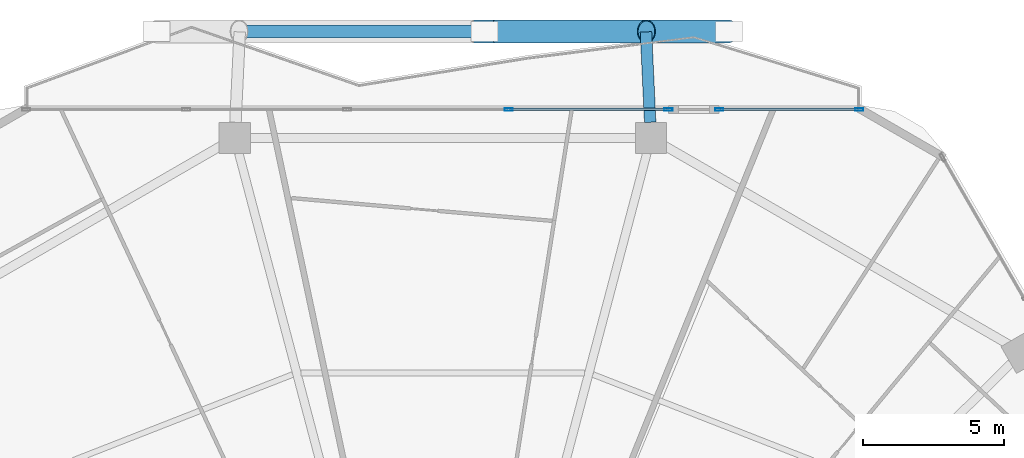
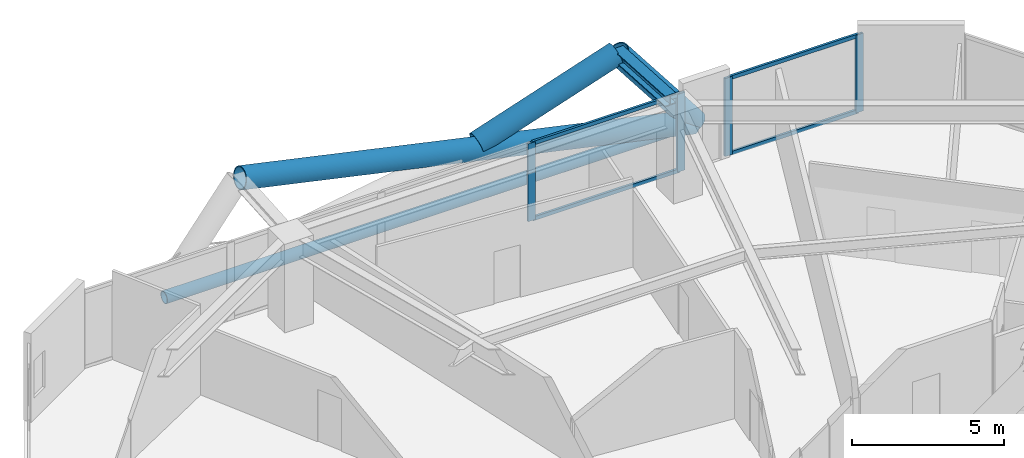
# One storey, part 23 of 35: 12 members, 1 beam, 2 elements without a shape of their own.
"""IFC4 building model written with IfcOpenShell, lengths in metres."""

from ifc_helpers import new_model, si_unit, direction, frame, origin, origin_2d, place, context, subcontext, project, spatial, hollow_rectangle, hollow_circle, i_section, extrude, material, material_profile, profile_set, type_object, element, aggregate, save


model = new_model("IFC4")

# Units and contexts
model_context = context("Model", 3, precision=1e-05, world=origin(), true_north=direction((0.0, 1.0)))
body_context = subcontext(model_context, "Body", "Model", "MODEL_VIEW")
ifc_project = project(units=[si_unit("LENGTHUNIT", "METRE"), si_unit("AREAUNIT", "SQUARE_METRE"), si_unit("VOLUMEUNIT", "CUBIC_METRE"), si_unit("PLANEANGLEUNIT", "RADIAN"), si_unit("MASSUNIT", "GRAM", prefix="KILO")], contexts=[model_context])

# Site, building, storey
site_placement = place(None, origin())
site = spatial("IfcSite", under=ifc_project, at=site_placement, CompositionType="ELEMENT")
building_placement = place(site_placement, origin())
building = spatial("IfcBuilding", under=site, at=building_placement, Name="Zuhravey Tower", CompositionType="ELEMENT")
storey_placement = place(building_placement, frame((0.0, 0.0, 138.0)))
storey = spatial("IfcBuildingStorey", under=building, at=storey_placement, Name="L34", CompositionType="ELEMENT", Elevation=138.0)

# Curtain wall, members
ifc_material_1 = material(Name="Thermally broken anodised aluminium", Category="aluminium")
curtain_wall_type = type_object("IfcCurtainWallType", Name="Zone 1-2 Residential Curtain Wall CW3", PredefinedType="NOTDEFINED", material=ifc_material_1)
curtain_wall_1_placement = place(storey_placement, origin())
curtain_wall_1 = element("IfcCurtainWall", 1, at=curtain_wall_1_placement, inside=storey, type_object=curtain_wall_type, Name="L34 CW3 CW-L34-F2-1", PredefinedType="NOTDEFINED")
ifc_material_2 = material(Name="Anodised aluminium", Category="aluminium")
ifc_material_profile_1 = material_profile(ifc_material_2, hollow_rectangle(XDim=0.090087890625, YDim=0.284912109375, WallThickness=0.0048828125, at=origin_2d()), Name="ALU-RHS-90x285x5")
ifc_profile_set_1 = profile_set([ifc_material_profile_1], Name="Anodised aluminium")
member_type_1 = type_object("IfcMemberType", Name="Curtain-Wall Mullion 90x180", PredefinedType="MULLION", material=ifc_profile_set_1)
member_1_placement = place(storey_placement, frame((38.328857421875, 60.95849609375, 0.0), z_axis=(0.0, 0.0, 1.0), x_axis=(0.0, 1.0, 0.0)))
member_1 = element("IfcMember", 2, at=member_1_placement, type_object=member_type_1, Name="CW3 mullion 4", PredefinedType="MULLION", context=body_context, shape_type="SweptSolid", body=[
    extrude(hollow_rectangle(XDim=0.090087890625, YDim=0.284912109375, WallThickness=0.0048828125, at=origin_2d()), origin(), (0.0, 0.0, 1.0), 3.1220703125),
])
member_2_placement = place(storey_placement, frame((43.993408203125, 60.95849609375, 0.0), z_axis=(0.0, 0.0, 1.0), x_axis=(0.0, 1.0, 0.0)))
member_2 = element("IfcMember", 3, at=member_2_placement, type_object=member_type_1, Name="CW3 mullion 5", PredefinedType="MULLION", context=body_context, shape_type="SweptSolid", body=[
    extrude(hollow_rectangle(XDim=0.090087890625, YDim=0.284912109375, WallThickness=0.0048828125, at=origin_2d()), origin(), (0.0, 0.0, 1.0), 3.1220703125),
])

curtain_wall_2_placement = place(storey_placement, origin())
curtain_wall_2 = element("IfcCurtainWall", 4, at=curtain_wall_2_placement, inside=storey, type_object=curtain_wall_type, Name="L34 CW3 CW-L34-F2-2", PredefinedType="NOTDEFINED")
member_3_placement = place(storey_placement, frame((45.783447265625, 60.95849609375, 0.0), z_axis=(0.0, 0.0, 1.0), x_axis=(0.0, 1.0, 0.0)))
member_3 = element("IfcMember", 5, at=member_3_placement, type_object=member_type_1, Name="CW3 mullion 1", PredefinedType="MULLION", context=body_context, shape_type="SweptSolid", body=[
    extrude(hollow_rectangle(XDim=0.090087890625, YDim=0.284912109375, WallThickness=0.0048828125, at=origin_2d()), origin(), (0.0, 0.0, 1.0), 3.1220703125),
])
member_4_placement = place(storey_placement, frame((50.75439453125, 60.95849609375, 0.0), z_axis=(0.0, 0.0, 1.0), x_axis=(0.0, 1.0, 0.0)))
member_4 = element("IfcMember", 6, at=member_4_placement, type_object=member_type_1, Name="CW3 mullion 2", PredefinedType="MULLION", context=body_context, shape_type="SweptSolid", body=[
    extrude(hollow_rectangle(XDim=0.090087890625, YDim=0.284912109375, WallThickness=0.0048828125, at=origin_2d()), origin(), (0.0, 0.0, 1.0), 3.1220703125),
])

# Member
ifc_material_profile_2 = material_profile(ifc_material_2, hollow_rectangle(XDim=0.090087890625, YDim=0.14990234375, WallThickness=0.0048828125, at=origin_2d()), Name="ALU-RHS-90x150x5")
ifc_profile_set_2 = profile_set([ifc_material_profile_2], Name="Anodised aluminium")
member_type_2 = type_object("IfcMemberType", Name="Curtain-Wall Transom 90x150", PredefinedType="USERDEFINED", material=ifc_profile_set_2)
member_5_placement = place(storey_placement, frame((38.3740234375, 60.95849609375, 0.044921875), z_axis=(1.0, 0.0, 0.0), x_axis=(0.0, 1.0, 0.0)))
member_5 = element("IfcMember", 7, at=member_5_placement, type_object=member_type_2, Name="CW3 transom 4.1", ObjectType="TRANSOM", PredefinedType="USERDEFINED", context=body_context, shape_type="SweptSolid", body=[
    extrude(hollow_rectangle(XDim=0.090087890625, YDim=0.14990234375, WallThickness=0.0048828125, at=origin_2d()), origin(), (0.0, 0.0, 1.0), 5.574462890625),
])

member_6_placement = place(storey_placement, frame((38.3740234375, 60.95849609375, 3.076904296875), z_axis=(1.0, 0.0, 0.0), x_axis=(0.0, 1.0, 0.0)))
member_6 = element("IfcMember", 8, at=member_6_placement, type_object=member_type_2, Name="CW3 transom 4.2", ObjectType="TRANSOM", PredefinedType="USERDEFINED", context=body_context, shape_type="SweptSolid", body=[
    extrude(hollow_rectangle(XDim=0.090087890625, YDim=0.14990234375, WallThickness=0.0048828125, at=origin_2d()), origin(), (0.0, 0.0, 1.0), 5.574462890625),
])

aggregate(curtain_wall_1, [member_1, member_2, member_5, member_6])

member_7_placement = place(storey_placement, frame((45.828369140625, 60.95849609375, 0.044921875), z_axis=(1.0, 0.0, 0.0), x_axis=(0.0, 1.0, 0.0)))
member_7 = element("IfcMember", 9, at=member_7_placement, type_object=member_type_2, Name="CW3 transom 1.1", ObjectType="TRANSOM", PredefinedType="USERDEFINED", context=body_context, shape_type="SweptSolid", body=[
    extrude(hollow_rectangle(XDim=0.090087890625, YDim=0.14990234375, WallThickness=0.0048828125, at=origin_2d()), origin(), (0.0, 0.0, 1.0), 4.881103515625),
])

member_8_placement = place(storey_placement, frame((45.828369140625, 60.95849609375, 3.076904296875), z_axis=(1.0, 0.0, 0.0), x_axis=(0.0, 1.0, 0.0)))
member_8 = element("IfcMember", 10, at=member_8_placement, type_object=member_type_2, Name="CW3 transom 1.2", ObjectType="TRANSOM", PredefinedType="USERDEFINED", context=body_context, shape_type="SweptSolid", body=[
    extrude(hollow_rectangle(XDim=0.090087890625, YDim=0.14990234375, WallThickness=0.0048828125, at=origin_2d()), origin(), (0.0, 0.0, 1.0), 4.881103515625),
])

aggregate(curtain_wall_2, [member_3, member_4, member_7, member_8])

# Beam
ifc_material_3 = material(Name="Steel SM460", Category="steel")
ifc_material_profile_3 = material_profile(ifc_material_3, i_section(OverallWidth=0.406982421875, OverallDepth=0.427978515625, WebThickness=0.02001953125, FlangeThickness=0.034912109375, at=origin_2d()), Name="H-428x407x20x35")
ifc_profile_set_3 = profile_set([ifc_material_profile_3], Name="Steel SM460")
beam_type = type_object("IfcBeamType", Name="Exoskeleton Node Tie Beam H428x407", PredefinedType="BEAM", material=ifc_profile_set_3)
beam_placement = place(storey_placement, frame((43.34423828125, 60.50244140625, 3.3359375), z_axis=(-0.046700060299, 0.998908956997, 0.0), x_axis=(-0.998908956997, -0.046700060299, 0.0)))
element("IfcBeam", 11, at=beam_placement, inside=storey, type_object=beam_type, Name="L34 Exoskeleton Node Tie NT1-03", PredefinedType="BEAM", context=body_context, shape_type="SweptSolid", body=[
    extrude(i_section(OverallWidth=0.406982421875, OverallDepth=0.427978515625, WebThickness=0.02001953125, FlangeThickness=0.034912109375, at=origin_2d()), origin(), (0.0, 0.0, 1.0), 3.20458984375),
])

# Members
ifc_material_4 = material(Name="Steel SM355", Category="steel")
ifc_material_profile_4 = material_profile(ifc_material_4, hollow_circle(Radius=0.228515625, WallThickness=0.02197265625, at=origin_2d()), Name="CHS-457.2x22")
ifc_profile_set_4 = profile_set([ifc_material_profile_4], Name="Steel SM355")
member_type_3 = type_object("IfcMemberType", Name="Exoskeleton Ring Tie CHS457x22", PredefinedType="CHORD", material=ifc_profile_set_4)
member_9_placement = place(storey_placement, frame((45.996826171875, 63.718505859375, -0.464111328125), z_axis=(-1.0, 0.0, 0.0), x_axis=(0.0, -1.0, 0.0)))
element("IfcMember", 12, at=member_9_placement, inside=storey, type_object=member_type_3, Name="L34 Exoskeleton Face 2 Tie EXR1", PredefinedType="CHORD", context=body_context, shape_type="SweptSolid", body=[
    extrude(hollow_circle(Radius=0.228515625, WallThickness=0.02197265625, at=origin_2d()), origin(), (0.0, 0.0, 1.0), 19.99365234375),
])
ifc_material_profile_5 = material_profile(ifc_material_3, hollow_circle(Radius=0.406494140625, WallThickness=0.035888671875, at=origin_2d()), Name="CHS-812.8x36")
ifc_profile_set_5 = profile_set([ifc_material_profile_5], Name="Steel SM460")
member_type_4 = type_object("IfcMemberType", Name="Exoskeleton Zone 1 Diagrid CHS813x36", PredefinedType="BRACE", material=ifc_profile_set_5)
member_10_placement = place(storey_placement, frame((46.119873046875, 63.718505859375, -0.44189453125), z_axis=(-0.612327622775, 0.0, 0.790604124949), x_axis=(0.0, -1.0, 0.0)))
element("IfcMember", 13, at=member_10_placement, inside=storey, type_object=member_type_4, Name="L34 Face 2 Diagrid Brace 1", PredefinedType="BRACE", context=body_context, shape_type="SweptSolid", body=[
    extrude(hollow_circle(Radius=0.406494140625, WallThickness=0.035888671875, at=origin_2d()), origin(), (0.0, 0.0, 1.0), 4.750732421875),
])
member_11_placement = place(storey_placement, frame((46.065185546875, 63.718505859375, -0.4482421875), z_axis=(-0.976795625699, 0.0, 0.214173540885), x_axis=(0.0, -1.0, 0.0)))
element("IfcMember", 14, at=member_11_placement, inside=storey, type_object=member_type_4, Name="L34 Face 2 Diagrid Brace 2", PredefinedType="BRACE", context=body_context, shape_type="SweptSolid", body=[
    extrude(hollow_circle(Radius=0.406494140625, WallThickness=0.035888671875, at=origin_2d()), origin(), (0.0, 0.0, 1.0), 17.595703125),
])
member_12_placement = place(storey_placement, frame((37.847900390625, 63.718505859375, 1.56103515625), z_axis=(0.949051523299, 0.0, 0.315120938885), x_axis=(0.0, 1.0, 0.0)))
element("IfcMember", 15, at=member_12_placement, inside=storey, type_object=member_type_4, Name="L34 Face 2 Split Diagrid Brace 3B", PredefinedType="BRACE", context=body_context, shape_type="SweptSolid", body=[
    extrude(hollow_circle(Radius=0.406494140625, WallThickness=0.035888671875, at=origin_2d()), origin(), (0.0, 0.0, 1.0), 5.5595703125),
])

save(model, "model.ifc")
